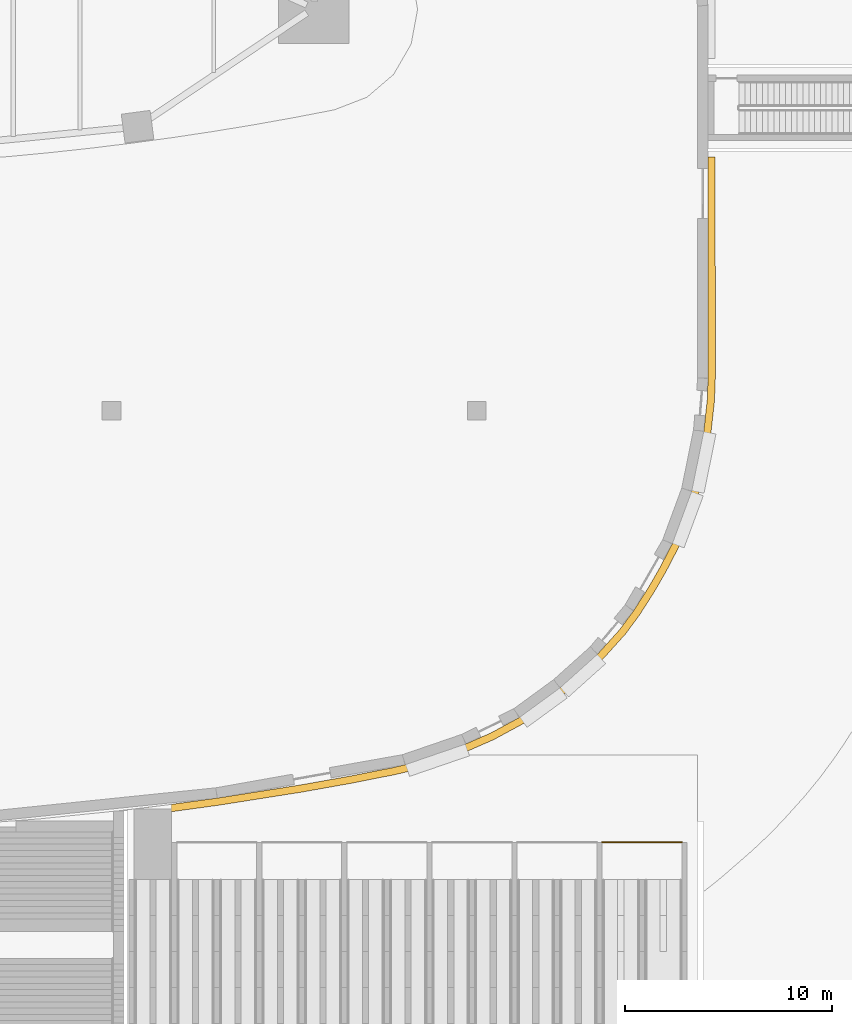
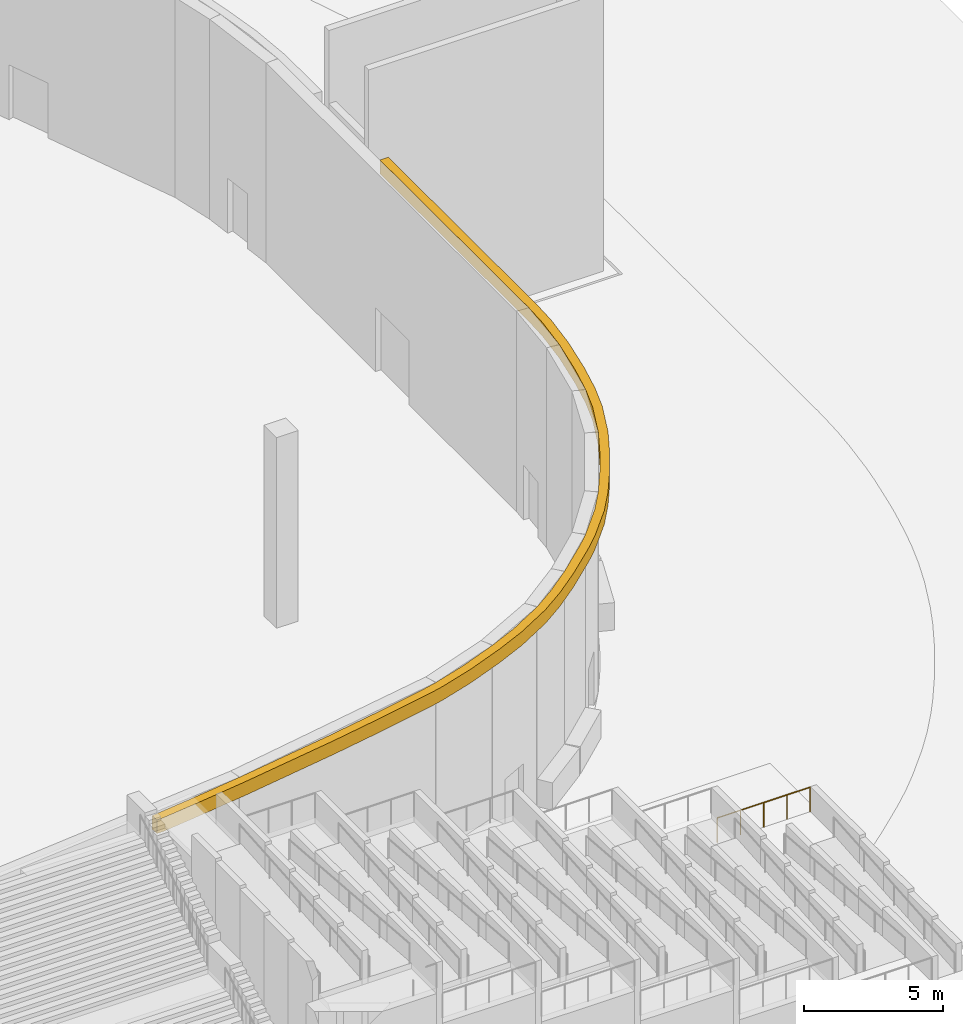
# One storey, part 20 of 29: 1 covering, 1 railing.
"""IFC4 building model written with IfcOpenShell, lengths in metres."""

from ifc_helpers import new_model, si_unit, direction, frame, origin, origin_2d, place, context, subcontext, project, spatial, polyline, circle, outline, extrude, material, layer, layer_set, type_object, element, save


model = new_model("IFC4")

# Units and contexts
model_context = context("Model", 3, precision=1e-05, world=origin(), true_north=direction((0.0, 1.0)))
body_context = subcontext(model_context, "Body", "Model", "MODEL_VIEW")
ifc_project = project(units=[si_unit("LENGTHUNIT", "METRE"), si_unit("AREAUNIT", "SQUARE_METRE"), si_unit("VOLUMEUNIT", "CUBIC_METRE"), si_unit("PLANEANGLEUNIT", "RADIAN"), si_unit("MASSUNIT", "GRAM", prefix="KILO")], contexts=[model_context])

# Site, building, storey
site_placement = place(None, origin())
site = spatial("IfcSite", under=ifc_project, at=site_placement, CompositionType="ELEMENT")
building_placement = place(site_placement, origin())
building = spatial("IfcBuilding", under=site, at=building_placement, Name="Sierra Prisma Convention Tower", CompositionType="ELEMENT")
storey_placement = place(building_placement, origin())
storey = spatial("IfcBuildingStorey", under=building, at=storey_placement, Name="L00", CompositionType="ELEMENT", Elevation=0.0)

# Railing
ifc_material_1 = material(Name="Bronze anodised aluminium", Category="aluminium")
railing_type = type_object("IfcRailingType", Name="Deck guard 1100", PredefinedType="GUARDRAIL", material=ifc_material_1)
railing_placement = place(storey_placement, frame((41.25, -56.0, 0.6923828125)))
element("IfcRailing", 1, at=railing_placement, inside=storey, type_object=railing_type, Name="Accessible ramp landing guard", PredefinedType="GUARDRAIL", context=body_context, shape_type="SweptSolid", body=[
    extrude(circle(Radius=0.02392578125, at=origin_2d()), frame((0.0, 0.0, 1.076171875), z_axis=(1.0, 0.0, 0.0), x_axis=(0.0, 1.0, 0.0)), (0.0, 0.0, 1.0), 3.85009765625),
    extrude(circle(Radius=0.02099609375, at=origin_2d()), origin(), (0.0, 0.0, 1.0), 1.052001953125),
    extrude(circle(Radius=0.02099609375, at=origin_2d()), frame((0.96240234375, 0.0, 0.0)), (0.0, 0.0, 1.0), 1.052001953125),
    extrude(circle(Radius=0.02099609375, at=origin_2d()), frame((1.925048828125, 0.0, 0.0)), (0.0, 0.0, 1.0), 1.052001953125),
    extrude(circle(Radius=0.02099609375, at=origin_2d()), frame((2.8876953125, 0.0, 0.0)), (0.0, 0.0, 1.0), 1.052001953125),
    extrude(circle(Radius=0.02099609375, at=origin_2d()), frame((3.85009765625, 0.0, 0.0)), (0.0, 0.0, 1.0), 1.052001953125),
])

# Covering
ifc_material_2 = material(Name="Dark rose-grey plaster")
ifc_layer = layer(ifc_material_2, 0.35009765625)
ifc_layer_set = layer_set([ifc_layer], Name="Plinth cornice band 600")
covering_type = type_object("IfcCoveringType", Name="Plinth cornice band 600", PredefinedType="CLADDING", material=ifc_layer_set)
covering_placement = place(storey_placement, frame((0.0, 0.0, 8.14990234375)))
element("IfcCovering", 2, at=covering_placement, inside=storey, type_object=covering_type, Name="Plinth cornice 5", PredefinedType="CLADDING", context=body_context, shape_type="SweptSolid", body=[
    extrude(outline(polyline([(46.7001953125, -22.97509765625), (46.35009765625, -22.97509765625), (46.3544921875, -33.632080078125), (46.31689453125, -34.686279296875), (46.15087890625, -36.1904296875), (45.8623046875, -37.802490234375), (45.568115234375, -39.0703125), (45.236572265625, -40.1533203125), (44.628662109375, -41.615478515625), (44.0283203125, -42.770263671875), (43.4658203125, -43.74462890625), (42.765869140625, -44.841796875), (42.09228515625, -45.75244140625), (41.031494140625, -46.927978515625), (40.50048828125, -47.436279296875), (39.225341796875, -48.547607421875), (38.199462890625, -49.348388671875), (37.2607421875, -49.982177734375), (35.86865234375, -50.73681640625), (34.67578125, -51.25732421875), (33.15185546875, -51.833251953125), (31.758056640625, -52.258544921875), (31.199951171875, -52.39208984375), (29.020263671875, -52.822021484375), (26.708984375, -53.234375), (22.702392578125, -53.8662109375), (20.376708984375, -54.185302734375), (18.779052734375, -54.380615234375), (18.787109375, -54.403076171875), (18.794189453125, -54.431640625), (18.798583984375, -54.4609375), (18.800048828125, -54.490234375), (18.800048828125, -54.699951171875), (19.05078125, -54.699951171875), (20.421630859375, -54.5322265625), (22.753662109375, -54.21240234375), (26.76708984375, -53.57958984375), (29.084716796875, -53.166015625), (31.2744140625, -52.734130859375), (31.849853515625, -52.596435546875), (33.264892578125, -52.164794921875), (34.807861328125, -51.581787109375), (36.0224609375, -51.051513671875), (37.4423828125, -50.28173828125), (38.4052734375, -49.6318359375), (39.4482421875, -48.817626953125), (40.73681640625, -47.69482421875), (41.28271484375, -47.171875), (42.363525390625, -45.97412109375), (43.054443359375, -45.040283203125), (43.76513671875, -43.92626953125), (44.33544921875, -42.9384765625), (44.946044921875, -41.763671875), (45.56640625, -40.27197265625), (45.90625, -39.1611328125), (46.205078125, -37.873046875), (46.497314453125, -36.240478515625), (46.666015625, -34.711669921875), (46.70458984375, -33.63818359375), (46.7001953125, -22.97509765625)])), origin(), (0.0, 0.0, 1.0), 0.60009765625),
])

save(model, "model.ifc")
